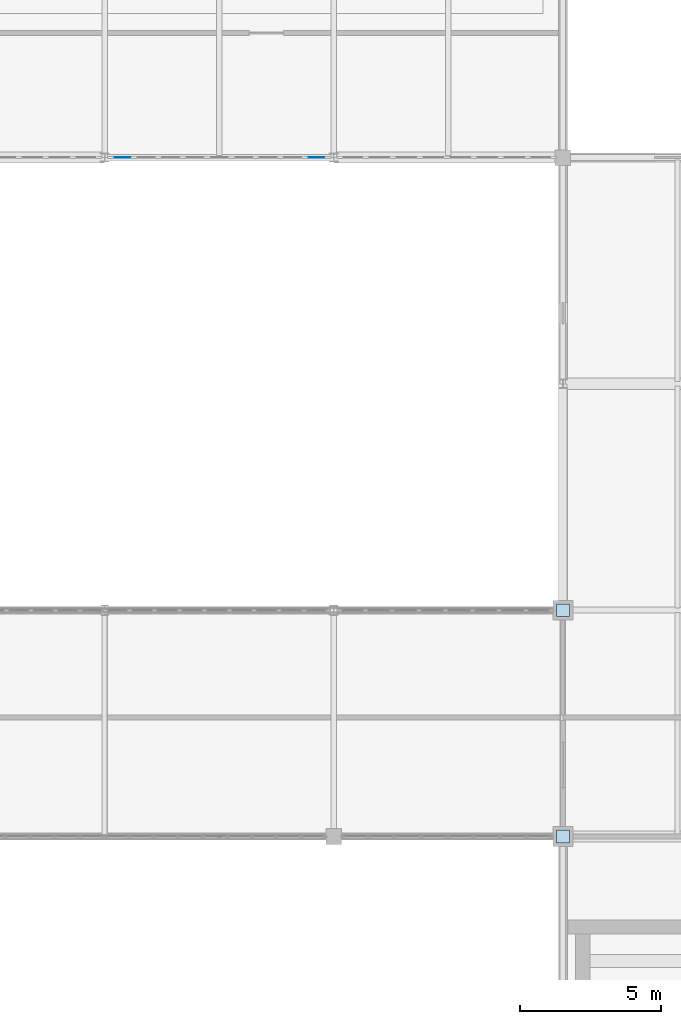
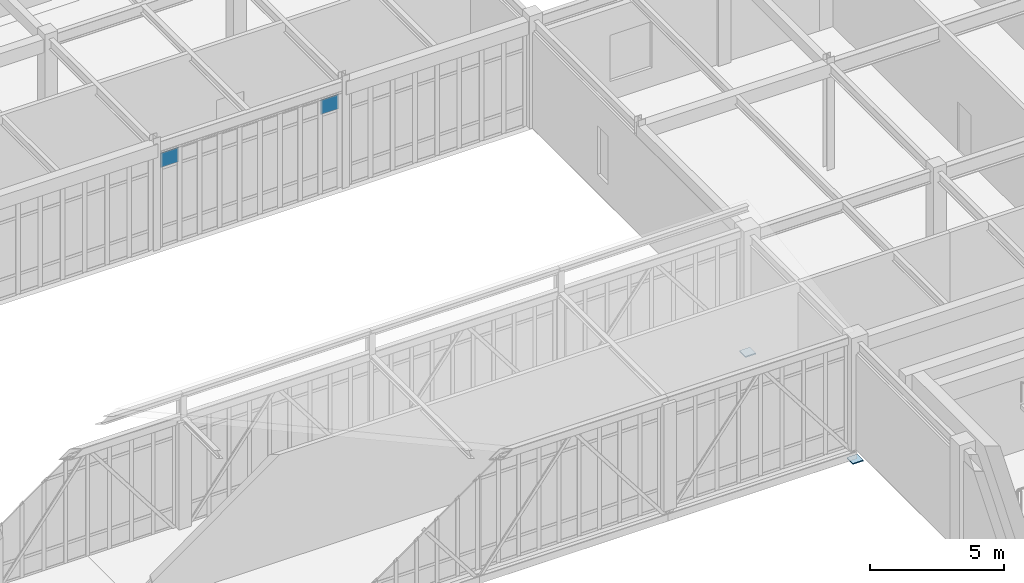
# One storey, part 91 of 107: 4 plates, 1 element without a shape of its own.
"""IFC4 building model written with IfcOpenShell, lengths in metres."""

from ifc_helpers import new_model, si_unit, direction, frame, origin, origin_2d, place, context, subcontext, project, spatial, rectangle, extrude, material, layer, layer_set, type_object, element, aggregate, save


model = new_model("IFC4")

# Units and contexts
model_context = context("Model", 3, precision=1e-05, world=origin(), true_north=direction((0.0, 1.0)))
body_context = subcontext(model_context, "Body", "Model", "MODEL_VIEW")
ifc_project = project(units=[si_unit("LENGTHUNIT", "METRE"), si_unit("AREAUNIT", "SQUARE_METRE"), si_unit("VOLUMEUNIT", "CUBIC_METRE"), si_unit("PLANEANGLEUNIT", "RADIAN"), si_unit("MASSUNIT", "GRAM", prefix="KILO")], contexts=[model_context])

# Site, building, storey
site_placement = place(None, origin())
site = spatial("IfcSite", under=ifc_project, at=site_placement, CompositionType="ELEMENT")
building_placement = place(site_placement, origin())
building = spatial("IfcBuilding", under=site, at=building_placement, Name="Tarnveldt Square Police Headquarters", CompositionType="ELEMENT")
storey_placement = place(building_placement, frame((0.0, 0.0, 14.699951171875)))
storey = spatial("IfcBuildingStorey", under=building, at=storey_placement, Name="L03", CompositionType="ELEMENT", Elevation=14.699951171875)

# Curtain wall, plates
ifc_material_1 = material(Name="Triple-glazed low-e laminated vision glass", Category="glass")
curtain_wall_type = type_object("IfcCurtainWallType", Name="CW-LB-776x430", PredefinedType="USERDEFINED", material=ifc_material_1)
curtain_wall_placement = place(storey_placement, origin())
curtain_wall = element("IfcCurtainWall", 1, at=curtain_wall_placement, inside=storey, type_object=curtain_wall_type, Name="L03 Curtain Wall CW-L03-124", ObjectType="GLAZED CURTAIN WALL", PredefinedType="USERDEFINED")
ifc_layer_1 = layer(ifc_material_1, 0.028076171875)
ifc_layer_set_1 = layer_set([ifc_layer_1], Name="Triple-glazed low-e laminated vision glass")
plate_type_1 = type_object("IfcPlateType", Name="CWP-VIS-28", PredefinedType="CURTAIN_PANEL", material=ifc_layer_set_1)
plate_1_placement = place(storey_placement, frame((89.718994140625, 96.0, 3.58154296875), z_axis=(0.0, 0.0, 1.0), x_axis=(1.0, 0.0, 0.0)))
plate_1 = element("IfcPlate", 2, at=plate_1_placement, type_object=plate_type_1, Name="CW-LB75 panel 1.3", PredefinedType="CURTAIN_PANEL", context=body_context, shape_type="SweptSolid", body=[
    extrude(rectangle(XDim=0.75, YDim=0.028076171875, at=origin_2d()), origin(), (0.0, 0.0, 1.0), 0.652587890625),
])
plate_2_placement = place(storey_placement, frame((96.5810546875, 96.0, 3.58154296875), z_axis=(0.0, 0.0, 1.0), x_axis=(1.0, 0.0, 0.0)))
plate_2 = element("IfcPlate", 3, at=plate_2_placement, type_object=plate_type_1, Name="CW-LB75 panel 9.3", PredefinedType="CURTAIN_PANEL", context=body_context, shape_type="SweptSolid", body=[
    extrude(rectangle(XDim=0.75, YDim=0.028076171875, at=origin_2d()), origin(), (0.0, 0.0, 1.0), 0.652587890625),
])
aggregate(curtain_wall, [plate_1, plate_2])

# Plates
ifc_material_2 = material(Name="Steel 350W", Category="steel")
ifc_layer_2 = layer(ifc_material_2, 0.052001953125)
ifc_layer_set_2 = layer_set([ifc_layer_2], Name="Steel 350W")
plate_type_2 = type_object("IfcPlateType", Name="PLT-BASE-52", PredefinedType="USERDEFINED", material=ifc_layer_set_2)
for number, where, z_axis, x_axis, name in (
    (4, (105.300048828125, 72.0, -0.72900390625), (0.0, 0.0, 1.0), (1.0, 0.0, 0.0), "Skybridge SBN Sliding Bearing Seat Plate E"),
    (5, (105.300048828125, 80.0, -0.72900390625), (0.0, 0.0, 1.0), (1.0, 0.0, 0.0), "Skybridge SBN Sliding Bearing Seat Plate E"),
):
    element("IfcPlate", number, at=place(storey_placement, frame(where, z_axis=z_axis, x_axis=x_axis)), inside=storey, type_object=plate_type_2, Name=name, ObjectType="BASE PLATE", PredefinedType="USERDEFINED", context=body_context, shape_type="SweptSolid", body=[
        extrude(rectangle(XDim=0.449951171875, YDim=0.449951171875, at=origin_2d()), origin(), (0.0, 0.0, 1.0), 0.052001953125),
    ])

save(model, "model.ifc")
